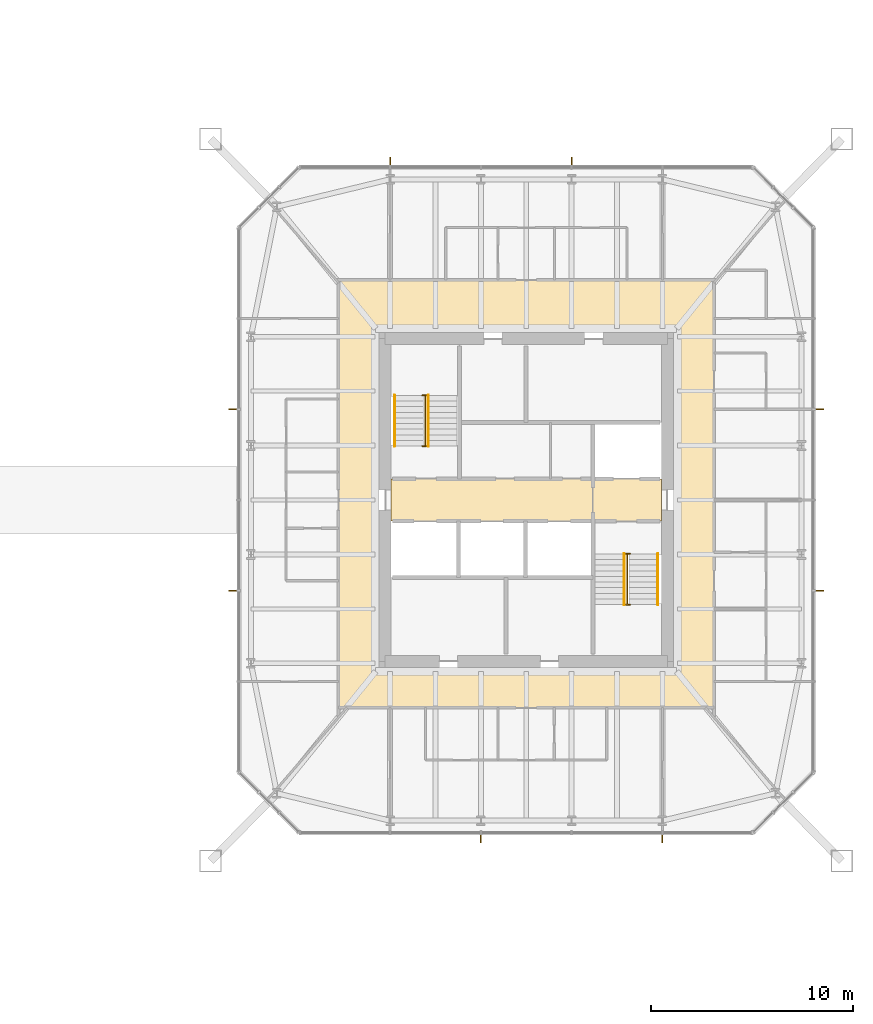
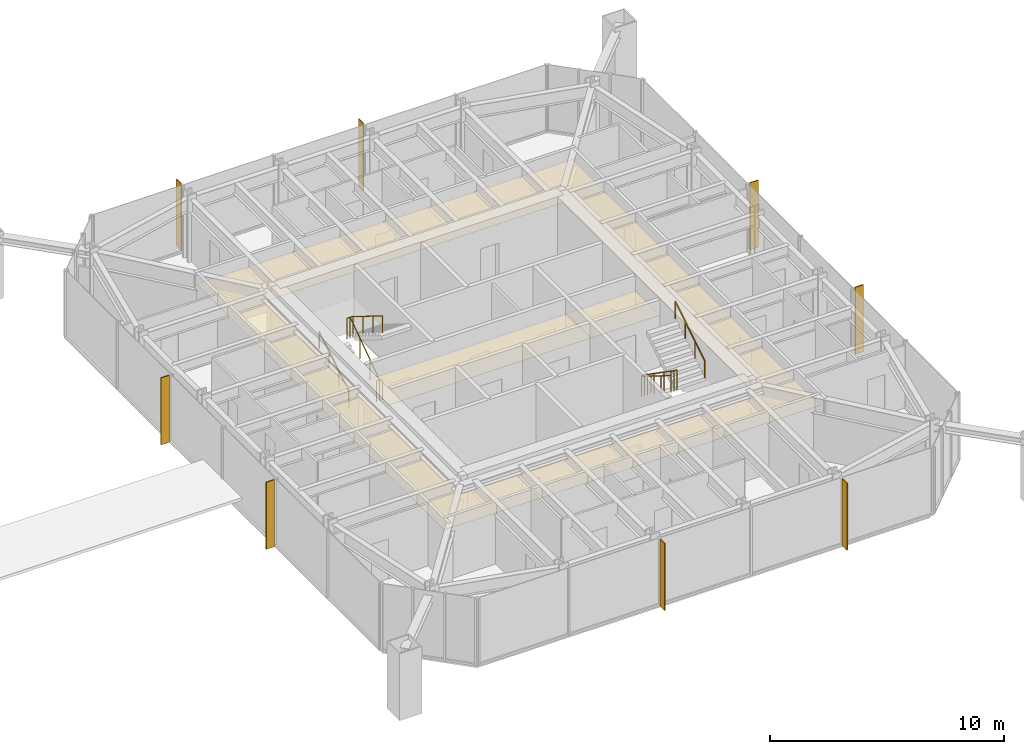
# One storey, part 25 of 25: 8 shading devices, 6 railings, 3 coverings.
"""IFC4 building model written with IfcOpenShell, lengths in metres."""

from ifc_helpers import new_model, si_unit, direction, frame, origin, origin_2d, place, context, subcontext, project, spatial, polyline, rectangle, circle, outline, extrude, material, layer, layer_set, constituent, constituent_set, type_object, element, save


model = new_model("IFC4")

# Units and contexts
model_context = context("Model", 3, precision=1e-05, world=origin(), true_north=direction((0.0, 1.0)))
body_context = subcontext(model_context, "Body", "Model", "MODEL_VIEW")
ifc_project = project(units=[si_unit("LENGTHUNIT", "METRE"), si_unit("AREAUNIT", "SQUARE_METRE"), si_unit("VOLUMEUNIT", "CUBIC_METRE"), si_unit("PLANEANGLEUNIT", "RADIAN"), si_unit("MASSUNIT", "GRAM", prefix="KILO")], contexts=[model_context])

# Site, building, storey
site_placement = place(None, origin())
site = spatial("IfcSite", under=ifc_project, at=site_placement, CompositionType="ELEMENT")
building_placement = place(site_placement, origin())
building = spatial("IfcBuilding", under=site, at=building_placement, Name="Iwan Alto Co-Living Towers", CompositionType="ELEMENT")
storey_placement = place(building_placement, frame((0.0, 0.0, 101.5)))
storey = spatial("IfcBuildingStorey", under=building, at=storey_placement, Name="L27", CompositionType="ELEMENT", Elevation=101.5)

# Coverings
ifc_material_1 = material(Name="Mineral fibre acoustic tiles on steel grid", Category="steel")
ifc_layer_1 = layer(ifc_material_1, 0.02001953125)
ifc_layer_set_1 = layer_set([ifc_layer_1], Name="ACOUSTIC TILE CEILING 20")
covering_type_1 = type_object("IfcCoveringType", Name="ACOUSTIC TILE CEILING 20", PredefinedType="CEILING", material=ifc_layer_set_1)
covering_1_placement = place(storey_placement, frame((0.0, 0.0, 2.60009765625)))
element("IfcCovering", 1, at=covering_1_placement, inside=storey, type_object=covering_type_1, Name="Ceiling Lift lobby L27", PredefinedType="CEILING", context=body_context, shape_type="SweptSolid", body=[
    extrude(outline(polyline([(56.300048828125, -1.050048828125), (56.300048828125, 1.050048828125), (66.300048828125, 1.050048828125), (66.300048828125, -1.050048828125), (56.300048828125, -1.050048828125)])), origin(), (0.0, 0.0, 1.0), 0.02001953125),
])
covering_2_placement = place(storey_placement, frame((0.0, 0.0, 2.60009765625)))
element("IfcCovering", 2, at=covering_2_placement, inside=storey, type_object=covering_type_1, Name="Ceiling Firefighting lobby L27", PredefinedType="CEILING", context=body_context, shape_type="SweptSolid", body=[
    extrude(outline(polyline([(66.300048828125, -1.050048828125), (66.300048828125, 1.050048828125), (69.699951171875, 1.050048828125), (69.699951171875, -1.050048828125), (66.300048828125, -1.050048828125)])), origin(), (0.0, 0.0, 1.0), 0.02001953125),
])

# Shading devices
ifc_material_2 = material(Name="Aluminium 6063-T6 bronze anodised", Category="aluminium")
ifc_layer_2 = layer(ifc_material_2, 0.050048828125)
ifc_layer_set_2 = layer_set([ifc_layer_2], Name="BRONZE FIN 50X400")
shading_device_type = type_object("IfcShadingDeviceType", Name="BRONZE FIN 50X400", PredefinedType="USERDEFINED", material=ifc_layer_set_2)
for number, where, z_axis, x_axis, name in (
    (3, (60.75, -16.800048828125, 0.0), (0.0, 0.0, 1.0), (1.0, 0.0, 0.0), "Bronze fin L27"),
    (4, (69.75, -16.800048828125, 0.0), (0.0, 0.0, 1.0), (1.0, 0.0, 0.0), "Bronze fin L27"),
    (5, (77.550048828125, -4.5, 0.0), (0.0, 0.0, 1.0), (0.0, 1.0, 0.0), "Bronze fin L27"),
    (6, (77.550048828125, 4.5, 0.0), (0.0, 0.0, 1.0), (0.0, 1.0, 0.0), "Bronze fin L27"),
    (7, (65.25, 16.800048828125, 0.0), (0.0, 0.0, 1.0), (-1.0, 0.0, 0.0), "Bronze fin L27"),
    (8, (56.25, 16.800048828125, 0.0), (0.0, 0.0, 1.0), (-1.0, 0.0, 0.0), "Bronze fin L27"),
    (9, (48.449951171875, 4.5, 0.0), (0.0, 0.0, 1.0), (0.0, -1.0, 0.0), "Bronze fin L27"),
    (10, (48.449951171875, -4.5, 0.0), (0.0, 0.0, 1.0), (0.0, -1.0, 0.0), "Bronze fin L27"),
):
    element("IfcShadingDevice", number, at=place(storey_placement, frame(where, z_axis=z_axis, x_axis=x_axis)), inside=storey, type_object=shading_device_type, Name=name, ObjectType="LOUVER", PredefinedType="USERDEFINED", context=body_context, shape_type="SweptSolid", body=[
        extrude(rectangle(XDim=0.050048828125, YDim=0.39990234375, at=origin_2d()), origin(), (0.0, 0.0, 1.0), 3.5),
    ])

# Railings
ifc_material_3 = material(Name="Steel ASTM A500 Gr C", Category="steel")
ifc_constituent_1 = constituent(ifc_material_3, Name="Rails and posts", Category="Framing")
ifc_material_4 = material(Name="Steel ASTM A36", Category="steel")
ifc_constituent_2 = constituent(ifc_material_4, Name="Bar infill", Category="Infill")
ifc_constituent_set = constituent_set(constituents=[ifc_constituent_1, ifc_constituent_2], Name="STAIR GUARD 1100")
railing_type_1 = type_object("IfcRailingType", Name="STAIR GUARD 1100", PredefinedType="GUARDRAIL", material=ifc_constituent_set)
railing_1_placement = place(storey_placement, frame((58.0, 2.669921875, 0.0)))
element("IfcRailing", 11, at=railing_1_placement, inside=storey, type_object=railing_type_1, Name="Stair T2-S1 well guard L27", PredefinedType="GUARDRAIL", context=body_context, shape_type="SweptSolid", body=[
    extrude(circle(Radius=0.02392578125, at=origin_2d()), frame((0.0, 0.0, 1.076171875), z_axis=(0.0, 0.821372036852, 0.570392826987), x_axis=(-1.0, 0.0, 0.0)), (0.0, 0.0, 1.0), 3.068115234375),
    extrude(circle(Radius=0.02392578125, at=origin_2d()), frame((-0.14990234375, 0.0, 1.076171875), z_axis=(1.0, 0.0, 0.0), x_axis=(0.0, 1.0, 0.0)), (0.0, 0.0, 1.0), 0.2998046875),
    extrude(circle(Radius=0.02392578125, at=origin_2d()), frame((-0.14990234375, 2.52001953125, 2.826171875), z_axis=(1.0, 0.0, 0.0), x_axis=(0.0, 1.0, 0.0)), (0.0, 0.0, 1.0), 0.2998046875),
    extrude(circle(Radius=0.02099609375, at=origin_2d()), origin(), (0.0, 0.0, 1.0), 1.052001953125),
    extrude(circle(Radius=0.02099609375, at=origin_2d()), frame((0.0, 0.840087890625, 0.583251953125)), (0.0, 0.0, 1.0), 1.052001953125),
    extrude(circle(Radius=0.02099609375, at=origin_2d()), frame((0.0, 1.679931640625, 1.166748046875)), (0.0, 0.0, 1.0), 1.052001953125),
    extrude(circle(Radius=0.02099609375, at=origin_2d()), frame((0.0, 2.52001953125, 1.75)), (0.0, 0.0, 1.0), 1.052001953125),
    extrude(circle(Radius=0.02099609375, at=origin_2d()), frame((-0.14990234375, 0.0, 0.0)), (0.0, 0.0, 1.0), 1.052001953125),
    extrude(circle(Radius=0.02099609375, at=origin_2d()), frame((0.14990234375, 0.0, 0.0)), (0.0, 0.0, 1.0), 1.052001953125),
    extrude(circle(Radius=0.02099609375, at=origin_2d()), frame((-0.14990234375, 2.52001953125, 1.75)), (0.0, 0.0, 1.0), 1.052001953125),
    extrude(circle(Radius=0.02099609375, at=origin_2d()), frame((0.14990234375, 2.52001953125, 1.75)), (0.0, 0.0, 1.0), 1.052001953125),
])
railing_2_placement = place(storey_placement, frame((68.0, -2.669921875, 0.0)))
element("IfcRailing", 12, at=railing_2_placement, inside=storey, type_object=railing_type_1, Name="Stair T2-S2 well guard L27", PredefinedType="GUARDRAIL", context=body_context, shape_type="SweptSolid", body=[
    extrude(circle(Radius=0.02392578125, at=origin_2d()), frame((0.0, 0.0, 1.076171875), z_axis=(0.0, -0.821372036852, 0.570392826987), x_axis=(1.0, 0.0, 0.0)), (0.0, 0.0, 1.0), 3.068115234375),
    extrude(circle(Radius=0.02392578125, at=origin_2d()), frame((-0.14990234375, 0.0, 1.076171875), z_axis=(1.0, 0.0, 0.0), x_axis=(0.0, 1.0, 0.0)), (0.0, 0.0, 1.0), 0.2998046875),
    extrude(circle(Radius=0.02392578125, at=origin_2d()), frame((-0.14990234375, -2.52001953125, 2.826171875), z_axis=(1.0, 0.0, 0.0), x_axis=(0.0, 1.0, 0.0)), (0.0, 0.0, 1.0), 0.2998046875),
    extrude(circle(Radius=0.02099609375, at=origin_2d()), origin(), (0.0, 0.0, 1.0), 1.052001953125),
    extrude(circle(Radius=0.02099609375, at=origin_2d()), frame((0.0, -0.840087890625, 0.583251953125)), (0.0, 0.0, 1.0), 1.052001953125),
    extrude(circle(Radius=0.02099609375, at=origin_2d()), frame((0.0, -1.679931640625, 1.166748046875)), (0.0, 0.0, 1.0), 1.052001953125),
    extrude(circle(Radius=0.02099609375, at=origin_2d()), frame((0.0, -2.52001953125, 1.75)), (0.0, 0.0, 1.0), 1.052001953125),
    extrude(circle(Radius=0.02099609375, at=origin_2d()), frame((-0.14990234375, 0.0, 0.0)), (0.0, 0.0, 1.0), 1.052001953125),
    extrude(circle(Radius=0.02099609375, at=origin_2d()), frame((0.14990234375, 0.0, 0.0)), (0.0, 0.0, 1.0), 1.052001953125),
    extrude(circle(Radius=0.02099609375, at=origin_2d()), frame((-0.14990234375, -2.52001953125, 1.75)), (0.0, 0.0, 1.0), 1.052001953125),
    extrude(circle(Radius=0.02099609375, at=origin_2d()), frame((0.14990234375, -2.52001953125, 1.75)), (0.0, 0.0, 1.0), 1.052001953125),
])
ifc_material_5 = material(Name="Steel ASTM A500 Gr C", Category="steel")
railing_type_2 = type_object("IfcRailingType", Name="STAIR HANDRAIL 900", PredefinedType="HANDRAIL", material=ifc_material_5)
railing_3_placement = place(storey_placement, frame((56.469970703125, 2.669921875, 0.175048828125)))
element("IfcRailing", 13, at=railing_3_placement, inside=storey, type_object=railing_type_2, Name="Stair T2-S1 handrail 1 L27", PredefinedType="HANDRAIL", context=body_context, shape_type="SweptSolid", body=[
    extrude(circle(Radius=0.02392578125, at=origin_2d()), frame((0.0, 0.0, 0.8759765625), z_axis=(0.0, 0.848007534815, 0.529984170421), x_axis=(-1.0, 0.0, 0.0)), (0.0, 0.0, 1.0), 2.9716796875),
    extrude(circle(Radius=0.02099609375, at=origin_2d()), origin(), (0.0, 0.0, 1.0), 0.851806640625),
    extrude(circle(Radius=0.02099609375, at=origin_2d()), frame((0.0, 0.840087890625, 0.52490234375)), (0.0, 0.0, 1.0), 0.851806640625),
    extrude(circle(Radius=0.02099609375, at=origin_2d()), frame((0.0, 1.679931640625, 1.050048828125)), (0.0, 0.0, 1.0), 0.851806640625),
    extrude(circle(Radius=0.02099609375, at=origin_2d()), frame((0.0, 2.52001953125, 1.574951171875)), (0.0, 0.0, 1.0), 0.851806640625),
])
for number, where, name in (
    (14, (58.14990234375, 5.18994140625, 1.925048828125), "Stair T2-S1 handrail 2 L27"),
    (15, (67.85009765625, -2.669921875, 0.175048828125), "Stair T2-S2 handrail 1 L27"),
):
    element("IfcRailing", number, at=place(storey_placement, frame(where)), inside=storey, type_object=railing_type_2, Name=name, PredefinedType="HANDRAIL", context=body_context, shape_type="SweptSolid", body=[
        extrude(circle(Radius=0.02392578125, at=origin_2d()), frame((0.0, 0.0, 0.8759765625), z_axis=(0.0, -0.848007534815, 0.529984170421), x_axis=(1.0, 0.0, 0.0)), (0.0, 0.0, 1.0), 2.9716796875),
        extrude(circle(Radius=0.02099609375, at=origin_2d()), origin(), (0.0, 0.0, 1.0), 0.851806640625),
        extrude(circle(Radius=0.02099609375, at=origin_2d()), frame((0.0, -0.840087890625, 0.52490234375)), (0.0, 0.0, 1.0), 0.851806640625),
        extrude(circle(Radius=0.02099609375, at=origin_2d()), frame((0.0, -1.679931640625, 1.050048828125)), (0.0, 0.0, 1.0), 0.851806640625),
        extrude(circle(Radius=0.02099609375, at=origin_2d()), frame((0.0, -2.52001953125, 1.574951171875)), (0.0, 0.0, 1.0), 0.851806640625),
    ])
railing_4_placement = place(storey_placement, frame((69.530029296875, -5.18994140625, 1.925048828125)))
element("IfcRailing", 16, at=railing_4_placement, inside=storey, type_object=railing_type_2, Name="Stair T2-S2 handrail 2 L27", PredefinedType="HANDRAIL", context=body_context, shape_type="SweptSolid", body=[
    extrude(circle(Radius=0.02392578125, at=origin_2d()), frame((0.0, 0.0, 0.8759765625), z_axis=(0.0, 0.848007534815, 0.529984170421), x_axis=(-1.0, 0.0, 0.0)), (0.0, 0.0, 1.0), 2.9716796875),
    extrude(circle(Radius=0.02099609375, at=origin_2d()), origin(), (0.0, 0.0, 1.0), 0.851806640625),
    extrude(circle(Radius=0.02099609375, at=origin_2d()), frame((0.0, 0.840087890625, 0.52490234375)), (0.0, 0.0, 1.0), 0.851806640625),
    extrude(circle(Radius=0.02099609375, at=origin_2d()), frame((0.0, 1.679931640625, 1.050048828125)), (0.0, 0.0, 1.0), 0.851806640625),
    extrude(circle(Radius=0.02099609375, at=origin_2d()), frame((0.0, 2.52001953125, 1.574951171875)), (0.0, 0.0, 1.0), 0.851806640625),
])

# Covering
ifc_material_6 = material(Name="Gypsum plasterboard on steel grid", Category="steel")
ifc_layer_3 = layer(ifc_material_6, 0.014892578125)
ifc_layer_set_3 = layer_set([ifc_layer_3], Name="SUSPENDED PLASTERBOARD CEILING 15")
covering_type_2 = type_object("IfcCoveringType", Name="SUSPENDED PLASTERBOARD CEILING 15", PredefinedType="CEILING", material=ifc_layer_set_3)
covering_3_placement = place(storey_placement, frame((0.0, 0.0, 2.60009765625)))
element("IfcCovering", 17, at=covering_3_placement, inside=storey, type_object=covering_type_2, Name="Ceiling Corridor L27", PredefinedType="CEILING", context=body_context, shape_type="SweptSolid", body=[
    extrude(outline(polyline([(53.699951171875, 10.89990234375), (72.300048828125, 10.89990234375), (72.300048828125, -10.300048828125), (53.699951171875, -10.300048828125), (53.699951171875, 10.89990234375)]), holes=[polyline([(55.699951171875, 8.300048828125), (55.699951171875, -8.300048828125), (70.300048828125, -8.300048828125), (70.300048828125, 8.300048828125), (55.699951171875, 8.300048828125)])]), origin(), (0.0, 0.0, 1.0), 0.014892578125),
])

save(model, "model.ifc")
